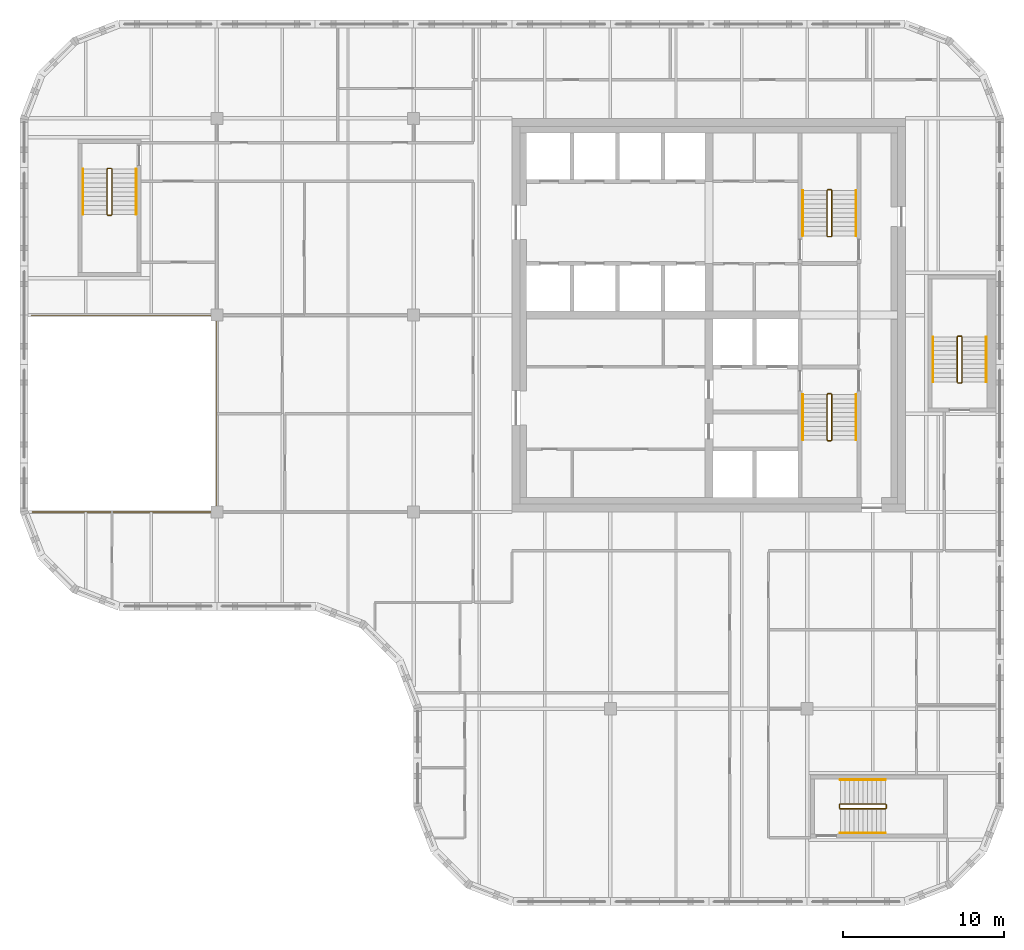
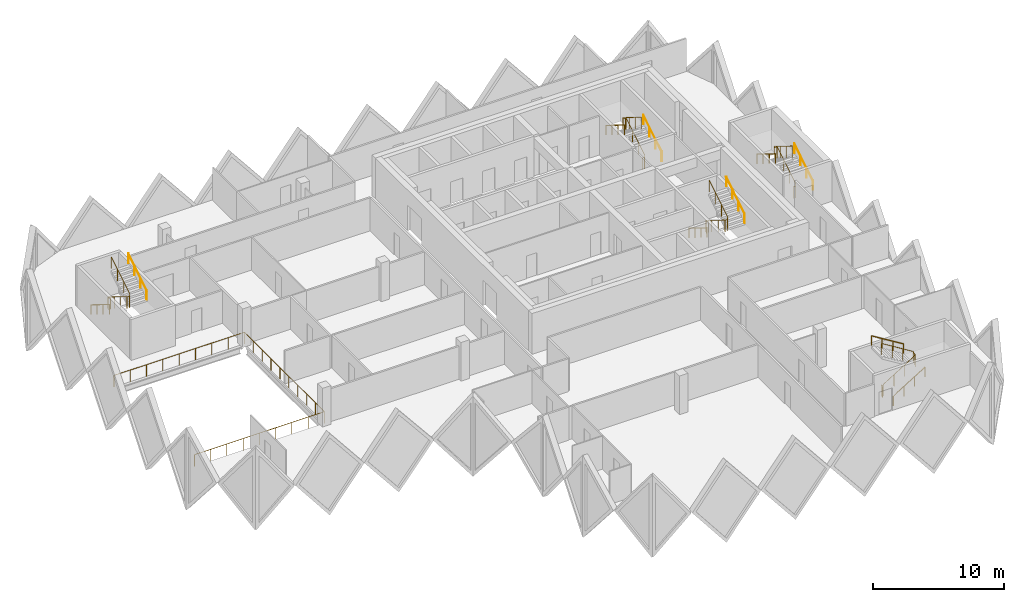
# One storey, part 12 of 12: 16 railings.
"""IFC4 building model written with IfcOpenShell, lengths in metres."""

from ifc_helpers import new_model, si_unit, direction, frame, origin, origin_2d, place, context, subcontext, project, spatial, circle, extrude, material, type_object, element, save


model = new_model("IFC4")

# Units and contexts
model_context = context("Model", 3, precision=1e-05, world=origin(), true_north=direction((0.0, 1.0)))
body_context = subcontext(model_context, "Body", "Model", "MODEL_VIEW")
ifc_project = project(units=[si_unit("LENGTHUNIT", "METRE"), si_unit("AREAUNIT", "SQUARE_METRE"), si_unit("VOLUMEUNIT", "CUBIC_METRE"), si_unit("PLANEANGLEUNIT", "RADIAN"), si_unit("MASSUNIT", "GRAM", prefix="KILO")], contexts=[model_context])

# Site, building, storey
site_placement = place(None, origin())
site = spatial("IfcSite", under=ifc_project, at=site_placement, CompositionType="ELEMENT")
building_placement = place(site_placement, origin())
building = spatial("IfcBuilding", under=site, at=building_placement, Name="Tessera Gate Towers", CompositionType="ELEMENT")
storey_placement = place(building_placement, frame((0.0, 0.0, 209.300048828125)))
storey = spatial("IfcBuildingStorey", under=building, at=storey_placement, Name="L52", CompositionType="ELEMENT", Elevation=209.300048828125)

# Railings
ifc_material_1 = material(Name="Toughened glass with stainless steel handrail", Category="steel")
railing_type_1 = type_object("IfcRailingType", Name="GUARD 1100 GLASS BALUSTRADE", PredefinedType="GUARDRAIL", material=ifc_material_1)
railing_1_placement = place(storey_placement, frame((0.750244140625, 24.39990234375, 0.0)))
element("IfcRailing", 1, at=railing_1_placement, inside=storey, type_object=railing_type_1, Name="Guard", PredefinedType="GUARDRAIL", context=body_context, shape_type="SweptSolid", body=[
    extrude(circle(Radius=0.02490234375, at=origin_2d()), frame((0.0, 0.0, 1.0751953125), z_axis=(1.0, 0.0, 0.0), x_axis=(0.0, 1.0, 0.0)), (0.0, 0.0, 1.0), 11.44970703125),
    extrude(circle(Radius=0.02490234375, at=origin_2d()), frame((11.44970703125, 0.0, 1.0751953125), z_axis=(0.0, 1.0, 0.0), x_axis=(-1.0, 0.0, 0.0)), (0.0, 0.0, 1.0), 12.2001953125),
    extrude(circle(Radius=0.02490234375, at=origin_2d()), frame((11.44970703125, 12.2001953125, 1.0751953125), z_axis=(-1.0, 0.0, 0.0), x_axis=(0.0, -1.0, 0.0)), (0.0, 0.0, 1.0), 11.5),
    extrude(circle(Radius=0.02490234375, at=origin_2d()), origin(), (0.0, 0.0, 1.0), 1.050048828125),
    extrude(circle(Radius=0.02490234375, at=origin_2d()), frame((1.43115234375, 0.0, 0.0)), (0.0, 0.0, 1.0), 1.050048828125),
    extrude(circle(Radius=0.02490234375, at=origin_2d()), frame((2.8623046875, 0.0, 0.0)), (0.0, 0.0, 1.0), 1.050048828125),
    extrude(circle(Radius=0.02490234375, at=origin_2d()), frame((4.293701171875, 0.0, 0.0)), (0.0, 0.0, 1.0), 1.050048828125),
    extrude(circle(Radius=0.02490234375, at=origin_2d()), frame((5.724853515625, 0.0, 0.0)), (0.0, 0.0, 1.0), 1.050048828125),
    extrude(circle(Radius=0.02490234375, at=origin_2d()), frame((7.156005859375, 0.0, 0.0)), (0.0, 0.0, 1.0), 1.050048828125),
    extrude(circle(Radius=0.02490234375, at=origin_2d()), frame((8.58740234375, 0.0, 0.0)), (0.0, 0.0, 1.0), 1.050048828125),
    extrude(circle(Radius=0.02490234375, at=origin_2d()), frame((10.0185546875, 0.0, 0.0)), (0.0, 0.0, 1.0), 1.050048828125),
    extrude(circle(Radius=0.02490234375, at=origin_2d()), frame((11.44970703125, 0.0, 0.0)), (0.0, 0.0, 1.0), 1.050048828125),
    extrude(circle(Radius=0.02490234375, at=origin_2d()), frame((11.44970703125, 1.35546875, 0.0)), (0.0, 0.0, 1.0), 1.050048828125),
    extrude(circle(Radius=0.02490234375, at=origin_2d()), frame((11.44970703125, 2.711181640625, 0.0)), (0.0, 0.0, 1.0), 1.050048828125),
    extrude(circle(Radius=0.02490234375, at=origin_2d()), frame((11.44970703125, 4.066650390625, 0.0)), (0.0, 0.0, 1.0), 1.050048828125),
    extrude(circle(Radius=0.02490234375, at=origin_2d()), frame((11.44970703125, 5.42236328125, 0.0)), (0.0, 0.0, 1.0), 1.050048828125),
    extrude(circle(Radius=0.02490234375, at=origin_2d()), frame((11.44970703125, 6.77783203125, 0.0)), (0.0, 0.0, 1.0), 1.050048828125),
    extrude(circle(Radius=0.02490234375, at=origin_2d()), frame((11.44970703125, 8.133544921875, 0.0)), (0.0, 0.0, 1.0), 1.050048828125),
    extrude(circle(Radius=0.02490234375, at=origin_2d()), frame((11.44970703125, 9.489013671875, 0.0)), (0.0, 0.0, 1.0), 1.050048828125),
    extrude(circle(Radius=0.02490234375, at=origin_2d()), frame((11.44970703125, 10.8447265625, 0.0)), (0.0, 0.0, 1.0), 1.050048828125),
    extrude(circle(Radius=0.02490234375, at=origin_2d()), frame((11.44970703125, 12.2001953125, 0.0)), (0.0, 0.0, 1.0), 1.050048828125),
    extrude(circle(Radius=0.02490234375, at=origin_2d()), frame((10.01220703125, 12.2001953125, 0.0)), (0.0, 0.0, 1.0), 1.050048828125),
    extrude(circle(Radius=0.02490234375, at=origin_2d()), frame((8.57470703125, 12.2001953125, 0.0)), (0.0, 0.0, 1.0), 1.050048828125),
    extrude(circle(Radius=0.02490234375, at=origin_2d()), frame((7.13720703125, 12.2001953125, 0.0)), (0.0, 0.0, 1.0), 1.050048828125),
    extrude(circle(Radius=0.02490234375, at=origin_2d()), frame((5.69970703125, 12.2001953125, 0.0)), (0.0, 0.0, 1.0), 1.050048828125),
    extrude(circle(Radius=0.02490234375, at=origin_2d()), frame((4.26220703125, 12.2001953125, 0.0)), (0.0, 0.0, 1.0), 1.050048828125),
    extrude(circle(Radius=0.02490234375, at=origin_2d()), frame((2.82470703125, 12.2001953125, 0.0)), (0.0, 0.0, 1.0), 1.050048828125),
    extrude(circle(Radius=0.02490234375, at=origin_2d()), frame((1.38720703125, 12.2001953125, 0.0)), (0.0, 0.0, 1.0), 1.050048828125),
    extrude(circle(Radius=0.02490234375, at=origin_2d()), frame((-0.05029296875, 12.2001953125, 0.0)), (0.0, 0.0, 1.0), 1.050048828125),
])
ifc_material_2 = material(Name="Steel 350W", Category="steel")
railing_type_2 = type_object("IfcRailingType", Name="STAIR GUARD 1100", PredefinedType="GUARDRAIL", material=ifc_material_2)
railing_2_placement = place(storey_placement, frame((50.27490234375, 31.72509765625, 0.0)))
element("IfcRailing", 2, at=railing_2_placement, inside=storey, type_object=railing_type_2, Name="L52 ST1 stair guard 1", PredefinedType="GUARDRAIL", context=body_context, shape_type="SweptSolid", body=[
    extrude(circle(Radius=0.02392578125, at=origin_2d()), frame((0.0, 0.0, 1.076171875), z_axis=(-1.0, 0.0, 0.0), x_axis=(0.0, -1.0, 0.0)), (0.0, 0.0, 1.0), 0.199951171875),
    extrude(circle(Radius=0.02392578125, at=origin_2d()), frame((-0.199951171875, 0.0, 1.076171875), z_axis=(-0.268277960024, -0.268277960024, 0.925231793839), x_axis=(0.707106781187, -0.707106781187, 0.0)), (0.0, 0.0, 1.0), 0.1865234375),
    extrude(circle(Radius=0.02392578125, at=origin_2d()), frame((-0.25, -0.050048828125, 1.24853515625), z_axis=(0.0, -0.851089632645, 0.525020415988), x_axis=(1.0, 0.0, 0.0)), (0.0, 0.0, 1.0), 3.2900390625),
    extrude(circle(Radius=0.02392578125, at=origin_2d()), frame((-0.25, -2.85009765625, 2.97607421875), z_axis=(0.707106781187, -0.707106781187, 0.0), x_axis=(0.707106781187, 0.707106781187, 0.0)), (0.0, 0.0, 1.0), 0.07080078125),
    extrude(circle(Radius=0.02392578125, at=origin_2d()), frame((-0.199951171875, -2.900146484375, 2.97607421875), z_axis=(1.0, 0.0, 0.0), x_axis=(0.0, 1.0, 0.0)), (0.0, 0.0, 1.0), 0.199951171875),
    extrude(circle(Radius=0.02392578125, at=origin_2d()), frame((0.0, -2.900146484375, 2.97607421875), z_axis=(0.267953482034, 0.267953482034, 0.925419830635), x_axis=(-0.707106781187, 0.707106781187, 0.0)), (0.0, 0.0, 1.0), 0.186767578125),
    extrude(circle(Radius=0.02392578125, at=origin_2d()), frame((0.050048828125, -2.85009765625, 3.14892578125), z_axis=(0.0, 0.851089632645, 0.525020415988), x_axis=(-1.0, 0.0, 0.0)), (0.0, 0.0, 1.0), 3.2900390625),
    extrude(circle(Radius=0.02099609375, at=origin_2d()), origin(), (0.0, 0.0, 1.0), 1.052001953125),
    extrude(circle(Radius=0.02099609375, at=origin_2d()), frame((-0.199951171875, 0.0, 0.0)), (0.0, 0.0, 1.0), 1.052001953125),
    extrude(circle(Radius=0.02099609375, at=origin_2d()), frame((-0.25, -0.050048828125, 0.172607421875)), (0.0, 0.0, 1.0), 1.052001953125),
    extrude(circle(Radius=0.02099609375, at=origin_2d()), frame((-0.25, -0.9833984375, 0.748291015625)), (0.0, 0.0, 1.0), 1.052001953125),
    extrude(circle(Radius=0.02099609375, at=origin_2d()), frame((-0.25, -1.916748046875, 1.32421875)), (0.0, 0.0, 1.0), 1.052001953125),
    extrude(circle(Radius=0.02099609375, at=origin_2d()), frame((-0.25, -2.85009765625, 1.89990234375)), (0.0, 0.0, 1.0), 1.052001953125),
    extrude(circle(Radius=0.02099609375, at=origin_2d()), frame((-0.199951171875, -2.900146484375, 1.89990234375)), (0.0, 0.0, 1.0), 1.052001953125),
    extrude(circle(Radius=0.02099609375, at=origin_2d()), frame((0.0, -2.900146484375, 1.89990234375)), (0.0, 0.0, 1.0), 1.052001953125),
    extrude(circle(Radius=0.02099609375, at=origin_2d()), frame((0.050048828125, -2.85009765625, 2.07275390625)), (0.0, 0.0, 1.0), 1.052001953125),
    extrude(circle(Radius=0.02099609375, at=origin_2d()), frame((0.050048828125, -1.916748046875, 2.6484375)), (0.0, 0.0, 1.0), 1.052001953125),
    extrude(circle(Radius=0.02099609375, at=origin_2d()), frame((0.050048828125, -0.9833984375, 3.224365234375)), (0.0, 0.0, 1.0), 1.052001953125),
    extrude(circle(Radius=0.02099609375, at=origin_2d()), frame((0.050048828125, -0.050048828125, 3.800048828125)), (0.0, 0.0, 1.0), 1.052001953125),
])
railing_3_placement = place(storey_placement, frame((50.074951171875, 41.47509765625, 0.0)))
element("IfcRailing", 3, at=railing_3_placement, inside=storey, type_object=railing_type_2, Name="L52 ST2 stair guard 1", PredefinedType="GUARDRAIL", context=body_context, shape_type="SweptSolid", body=[
    extrude(circle(Radius=0.02392578125, at=origin_2d()), frame((0.0, 0.0, 1.076171875), z_axis=(1.0, 0.0, 0.0), x_axis=(0.0, 1.0, 0.0)), (0.0, 0.0, 1.0), 0.199951171875),
    extrude(circle(Radius=0.02392578125, at=origin_2d()), frame((0.199951171875, 0.0, 1.076171875), z_axis=(0.268371968888, 0.267062837333, 0.925556009775), x_axis=(-0.705375805398, 0.708833529934, 0.0)), (0.0, 0.0, 1.0), 0.1865234375),
    extrude(circle(Radius=0.02392578125, at=origin_2d()), frame((0.25, 0.0498046875, 1.24853515625), z_axis=(0.0, 0.851089632645, 0.525020415988), x_axis=(-1.0, 0.0, 0.0)), (0.0, 0.0, 1.0), 3.2900390625),
    extrude(circle(Radius=0.02392578125, at=origin_2d()), frame((0.25, 2.849853515625, 2.97607421875), z_axis=(-0.707106781187, 0.707106781187, 0.0), x_axis=(-0.707106781187, -0.707106781187, 0.0)), (0.0, 0.0, 1.0), 0.07080078125),
    extrude(circle(Radius=0.02392578125, at=origin_2d()), frame((0.199951171875, 2.89990234375, 2.97607421875), z_axis=(-1.0, 0.0, 0.0), x_axis=(0.0, -1.0, 0.0)), (0.0, 0.0, 1.0), 0.199951171875),
    extrude(circle(Radius=0.02392578125, at=origin_2d()), frame((0.0, 2.89990234375, 2.97607421875), z_axis=(-0.267953482034, -0.267953482034, 0.925419830635), x_axis=(0.707106781187, -0.707106781187, 0.0)), (0.0, 0.0, 1.0), 0.186767578125),
    extrude(circle(Radius=0.02392578125, at=origin_2d()), frame((-0.050048828125, 2.849853515625, 3.14892578125), z_axis=(0.0, -0.851089632645, 0.525020415988), x_axis=(1.0, 0.0, 0.0)), (0.0, 0.0, 1.0), 3.2900390625),
    extrude(circle(Radius=0.02099609375, at=origin_2d()), origin(), (0.0, 0.0, 1.0), 1.052001953125),
    extrude(circle(Radius=0.02099609375, at=origin_2d()), frame((0.199951171875, 0.0, 0.0)), (0.0, 0.0, 1.0), 1.052001953125),
    extrude(circle(Radius=0.02099609375, at=origin_2d()), frame((0.25, 0.0498046875, 0.172607421875)), (0.0, 0.0, 1.0), 1.052001953125),
    extrude(circle(Radius=0.02099609375, at=origin_2d()), frame((0.25, 0.983154296875, 0.748291015625)), (0.0, 0.0, 1.0), 1.052001953125),
    extrude(circle(Radius=0.02099609375, at=origin_2d()), frame((0.25, 1.91650390625, 1.32421875)), (0.0, 0.0, 1.0), 1.052001953125),
    extrude(circle(Radius=0.02099609375, at=origin_2d()), frame((0.25, 2.849853515625, 1.89990234375)), (0.0, 0.0, 1.0), 1.052001953125),
    extrude(circle(Radius=0.02099609375, at=origin_2d()), frame((0.199951171875, 2.89990234375, 1.89990234375)), (0.0, 0.0, 1.0), 1.052001953125),
    extrude(circle(Radius=0.02099609375, at=origin_2d()), frame((0.0, 2.89990234375, 1.89990234375)), (0.0, 0.0, 1.0), 1.052001953125),
    extrude(circle(Radius=0.02099609375, at=origin_2d()), frame((-0.050048828125, 2.849853515625, 2.07275390625)), (0.0, 0.0, 1.0), 1.052001953125),
    extrude(circle(Radius=0.02099609375, at=origin_2d()), frame((-0.050048828125, 1.91650390625, 2.6484375)), (0.0, 0.0, 1.0), 1.052001953125),
    extrude(circle(Radius=0.02099609375, at=origin_2d()), frame((-0.050048828125, 0.983154296875, 3.224365234375)), (0.0, 0.0, 1.0), 1.052001953125),
    extrude(circle(Radius=0.02099609375, at=origin_2d()), frame((-0.050048828125, 0.0498046875, 3.800048828125)), (0.0, 0.0, 1.0), 1.052001953125),
])
railing_4_placement = place(storey_placement, frame((5.64990234375, 45.699951171875, 0.0)))
element("IfcRailing", 4, at=railing_4_placement, inside=storey, type_object=railing_type_2, Name="L52 ST3 stair guard 1", PredefinedType="GUARDRAIL", context=body_context, shape_type="SweptSolid", body=[
    extrude(circle(Radius=0.02392578125, at=origin_2d()), frame((0.0, 0.0, 1.076171875), z_axis=(-1.0, 0.0, 0.0), x_axis=(0.0, -1.0, 0.0)), (0.0, 0.0, 1.0), 0.199951171875),
    extrude(circle(Radius=0.02392578125, at=origin_2d()), frame((-0.199951171875, 0.0, 1.076171875), z_axis=(-0.268277960024, -0.268277960024, 0.925231793839), x_axis=(0.707106781187, -0.707106781187, 0.0)), (0.0, 0.0, 1.0), 0.1865234375),
    extrude(circle(Radius=0.02392578125, at=origin_2d()), frame((-0.25, -0.050048828125, 1.24853515625), z_axis=(0.0, -0.851069175582, 0.525053576669), x_axis=(1.0, 0.0, 0.0)), (0.0, 0.0, 1.0), 3.289794921875),
    extrude(circle(Radius=0.02392578125, at=origin_2d()), frame((-0.25, -2.849853515625, 2.97607421875), z_axis=(0.707106781187, -0.707106781187, 0.0), x_axis=(0.707106781187, 0.707106781187, 0.0)), (0.0, 0.0, 1.0), 0.07080078125),
    extrude(circle(Radius=0.02392578125, at=origin_2d()), frame((-0.199951171875, -2.89990234375, 2.97607421875), z_axis=(1.0, 0.0, 0.0), x_axis=(0.0, 1.0, 0.0)), (0.0, 0.0, 1.0), 0.199951171875),
    extrude(circle(Radius=0.02392578125, at=origin_2d()), frame((0.0, -2.89990234375, 2.97607421875), z_axis=(0.267953482034, 0.267953482034, 0.925419830635), x_axis=(-0.707106781187, 0.707106781187, 0.0)), (0.0, 0.0, 1.0), 0.186767578125),
    extrude(circle(Radius=0.02392578125, at=origin_2d()), frame((0.050048828125, -2.849853515625, 3.14892578125), z_axis=(0.0, 0.851069175582, 0.525053576669), x_axis=(-1.0, 0.0, 0.0)), (0.0, 0.0, 1.0), 3.289794921875),
    extrude(circle(Radius=0.02099609375, at=origin_2d()), origin(), (0.0, 0.0, 1.0), 1.052001953125),
    extrude(circle(Radius=0.02099609375, at=origin_2d()), frame((-0.199951171875, 0.0, 0.0)), (0.0, 0.0, 1.0), 1.052001953125),
    extrude(circle(Radius=0.02099609375, at=origin_2d()), frame((-0.25, -0.050048828125, 0.172607421875)), (0.0, 0.0, 1.0), 1.052001953125),
    extrude(circle(Radius=0.02099609375, at=origin_2d()), frame((-0.25, -0.9833984375, 0.748291015625)), (0.0, 0.0, 1.0), 1.052001953125),
    extrude(circle(Radius=0.02099609375, at=origin_2d()), frame((-0.25, -1.91650390625, 1.32421875)), (0.0, 0.0, 1.0), 1.052001953125),
    extrude(circle(Radius=0.02099609375, at=origin_2d()), frame((-0.25, -2.849853515625, 1.89990234375)), (0.0, 0.0, 1.0), 1.052001953125),
    extrude(circle(Radius=0.02099609375, at=origin_2d()), frame((-0.199951171875, -2.89990234375, 1.89990234375)), (0.0, 0.0, 1.0), 1.052001953125),
    extrude(circle(Radius=0.02099609375, at=origin_2d()), frame((0.0, -2.89990234375, 1.89990234375)), (0.0, 0.0, 1.0), 1.052001953125),
    extrude(circle(Radius=0.02099609375, at=origin_2d()), frame((0.050048828125, -2.849853515625, 2.07275390625)), (0.0, 0.0, 1.0), 1.052001953125),
    extrude(circle(Radius=0.02099609375, at=origin_2d()), frame((0.050048828125, -1.91650390625, 2.6484375)), (0.0, 0.0, 1.0), 1.052001953125),
    extrude(circle(Radius=0.02099609375, at=origin_2d()), frame((0.050048828125, -0.9833984375, 3.224365234375)), (0.0, 0.0, 1.0), 1.052001953125),
    extrude(circle(Radius=0.02099609375, at=origin_2d()), frame((0.050048828125, -0.050048828125, 3.800048828125)), (0.0, 0.0, 1.0), 1.052001953125),
])
railing_5_placement = place(storey_placement, frame((50.800048828125, 6.25, 0.0)))
element("IfcRailing", 5, at=railing_5_placement, inside=storey, type_object=railing_type_2, Name="L52 ST4 stair guard 1", PredefinedType="GUARDRAIL", context=body_context, shape_type="SweptSolid", body=[
    extrude(circle(Radius=0.02392578125, at=origin_2d()), frame((0.0, 0.0, 1.076171875), z_axis=(0.0, -1.0, 0.0), x_axis=(1.0, 0.0, 0.0)), (0.0, 0.0, 1.0), 0.199951171875),
    extrude(circle(Radius=0.02392578125, at=origin_2d()), frame((0.0, -0.199951171875, 1.076171875), z_axis=(0.268277960024, -0.268277960024, 0.925231793839), x_axis=(0.707106781187, 0.707106781187, 0.0)), (0.0, 0.0, 1.0), 0.1865234375),
    extrude(circle(Radius=0.02392578125, at=origin_2d()), frame((0.050048828125, -0.25, 1.24853515625), z_axis=(0.851069175582, 0.0, 0.525053576669), x_axis=(0.0, 1.0, 0.0)), (0.0, 0.0, 1.0), 3.289794921875),
    extrude(circle(Radius=0.02392578125, at=origin_2d()), frame((2.849853515625, -0.25, 2.97607421875), z_axis=(0.707106781187, 0.707106781187, 0.0), x_axis=(-0.707106781187, 0.707106781187, 0.0)), (0.0, 0.0, 1.0), 0.07080078125),
    extrude(circle(Radius=0.02392578125, at=origin_2d()), frame((2.89990234375, -0.199951171875, 2.97607421875), z_axis=(0.0, 1.0, 0.0), x_axis=(-1.0, 0.0, 0.0)), (0.0, 0.0, 1.0), 0.199951171875),
    extrude(circle(Radius=0.02392578125, at=origin_2d()), frame((2.89990234375, 0.0, 2.97607421875), z_axis=(-0.267953482034, 0.267953482034, 0.925419830635), x_axis=(-0.707106781187, -0.707106781187, 0.0)), (0.0, 0.0, 1.0), 0.186767578125),
    extrude(circle(Radius=0.02392578125, at=origin_2d()), frame((2.849853515625, 0.050048828125, 3.14892578125), z_axis=(-0.851069175582, 0.0, 0.525053576669), x_axis=(0.0, -1.0, 0.0)), (0.0, 0.0, 1.0), 3.289794921875),
    extrude(circle(Radius=0.02099609375, at=origin_2d()), origin(), (0.0, 0.0, 1.0), 1.052001953125),
    extrude(circle(Radius=0.02099609375, at=origin_2d()), frame((0.0, -0.199951171875, 0.0)), (0.0, 0.0, 1.0), 1.052001953125),
    extrude(circle(Radius=0.02099609375, at=origin_2d()), frame((0.050048828125, -0.25, 0.172607421875)), (0.0, 0.0, 1.0), 1.052001953125),
    extrude(circle(Radius=0.02099609375, at=origin_2d()), frame((0.9833984375, -0.25, 0.748291015625)), (0.0, 0.0, 1.0), 1.052001953125),
    extrude(circle(Radius=0.02099609375, at=origin_2d()), frame((1.91650390625, -0.25, 1.32421875)), (0.0, 0.0, 1.0), 1.052001953125),
    extrude(circle(Radius=0.02099609375, at=origin_2d()), frame((2.849853515625, -0.25, 1.89990234375)), (0.0, 0.0, 1.0), 1.052001953125),
    extrude(circle(Radius=0.02099609375, at=origin_2d()), frame((2.89990234375, -0.199951171875, 1.89990234375)), (0.0, 0.0, 1.0), 1.052001953125),
    extrude(circle(Radius=0.02099609375, at=origin_2d()), frame((2.89990234375, 0.0, 1.89990234375)), (0.0, 0.0, 1.0), 1.052001953125),
    extrude(circle(Radius=0.02099609375, at=origin_2d()), frame((2.849853515625, 0.050048828125, 2.07275390625)), (0.0, 0.0, 1.0), 1.052001953125),
    extrude(circle(Radius=0.02099609375, at=origin_2d()), frame((1.91650390625, 0.050048828125, 2.6484375)), (0.0, 0.0, 1.0), 1.052001953125),
    extrude(circle(Radius=0.02099609375, at=origin_2d()), frame((0.9833984375, 0.050048828125, 3.224365234375)), (0.0, 0.0, 1.0), 1.052001953125),
    extrude(circle(Radius=0.02099609375, at=origin_2d()), frame((0.050048828125, 0.050048828125, 3.800048828125)), (0.0, 0.0, 1.0), 1.052001953125),
])
railing_6_placement = place(storey_placement, frame((58.14990234375, 32.39990234375, 0.0)))
element("IfcRailing", 6, at=railing_6_placement, inside=storey, type_object=railing_type_2, Name="L52 ST5 stair guard 1", PredefinedType="GUARDRAIL", context=body_context, shape_type="SweptSolid", body=[
    extrude(circle(Radius=0.02392578125, at=origin_2d()), frame((0.0, 0.0, 1.076171875), z_axis=(1.0, 0.0, 0.0), x_axis=(0.0, 1.0, 0.0)), (0.0, 0.0, 1.0), 0.2001953125),
    extrude(circle(Radius=0.02392578125, at=origin_2d()), frame((0.2001953125, 0.0, 1.076171875), z_axis=(0.267062837333, 0.268371968888, 0.925556009775), x_axis=(-0.708833529934, 0.705375805398, 0.0)), (0.0, 0.0, 1.0), 0.1865234375),
    extrude(circle(Radius=0.02392578125, at=origin_2d()), frame((0.25, 0.050048828125, 1.24853515625), z_axis=(0.0, 0.851089632645, 0.525020415988), x_axis=(-1.0, 0.0, 0.0)), (0.0, 0.0, 1.0), 3.2900390625),
    extrude(circle(Radius=0.02392578125, at=origin_2d()), frame((0.25, 2.85009765625, 2.97607421875), z_axis=(-0.705375805398, 0.708833529934, 0.0), x_axis=(-0.708833529934, -0.705375805398, 0.0)), (0.0, 0.0, 1.0), 0.070556640625),
    extrude(circle(Radius=0.02392578125, at=origin_2d()), frame((0.2001953125, 2.900146484375, 2.97607421875), z_axis=(-1.0, 0.0, 0.0), x_axis=(0.0, -1.0, 0.0)), (0.0, 0.0, 1.0), 0.2001953125),
    extrude(circle(Radius=0.02392578125, at=origin_2d()), frame((0.0, 2.900146484375, 2.97607421875), z_axis=(-0.266739603011, -0.268047150085, 0.925743328097), x_axis=(0.708833529934, -0.705375805398, 0.0)), (0.0, 0.0, 1.0), 0.186767578125),
    extrude(circle(Radius=0.02392578125, at=origin_2d()), frame((-0.0498046875, 2.85009765625, 3.14892578125), z_axis=(0.0, -0.851089632645, 0.525020415988), x_axis=(1.0, 0.0, 0.0)), (0.0, 0.0, 1.0), 3.2900390625),
    extrude(circle(Radius=0.02099609375, at=origin_2d()), origin(), (0.0, 0.0, 1.0), 1.052001953125),
    extrude(circle(Radius=0.02099609375, at=origin_2d()), frame((0.2001953125, 0.0, 0.0)), (0.0, 0.0, 1.0), 1.052001953125),
    extrude(circle(Radius=0.02099609375, at=origin_2d()), frame((0.25, 0.050048828125, 0.172607421875)), (0.0, 0.0, 1.0), 1.052001953125),
    extrude(circle(Radius=0.02099609375, at=origin_2d()), frame((0.25, 0.9833984375, 0.748291015625)), (0.0, 0.0, 1.0), 1.052001953125),
    extrude(circle(Radius=0.02099609375, at=origin_2d()), frame((0.25, 1.916748046875, 1.32421875)), (0.0, 0.0, 1.0), 1.052001953125),
    extrude(circle(Radius=0.02099609375, at=origin_2d()), frame((0.25, 2.85009765625, 1.89990234375)), (0.0, 0.0, 1.0), 1.052001953125),
    extrude(circle(Radius=0.02099609375, at=origin_2d()), frame((0.2001953125, 2.900146484375, 1.89990234375)), (0.0, 0.0, 1.0), 1.052001953125),
    extrude(circle(Radius=0.02099609375, at=origin_2d()), frame((0.0, 2.900146484375, 1.89990234375)), (0.0, 0.0, 1.0), 1.052001953125),
    extrude(circle(Radius=0.02099609375, at=origin_2d()), frame((-0.0498046875, 2.85009765625, 2.07275390625)), (0.0, 0.0, 1.0), 1.052001953125),
    extrude(circle(Radius=0.02099609375, at=origin_2d()), frame((-0.0498046875, 1.916748046875, 2.6484375)), (0.0, 0.0, 1.0), 1.052001953125),
    extrude(circle(Radius=0.02099609375, at=origin_2d()), frame((-0.0498046875, 0.9833984375, 3.224365234375)), (0.0, 0.0, 1.0), 1.052001953125),
    extrude(circle(Radius=0.02099609375, at=origin_2d()), frame((-0.0498046875, 0.050048828125, 3.800048828125)), (0.0, 0.0, 1.0), 1.052001953125),
])
ifc_material_3 = material(Name="Steel 350W", Category="steel")
railing_type_3 = type_object("IfcRailingType", Name="STAIR HANDRAIL 900", PredefinedType="HANDRAIL", material=ifc_material_3)
railing_7_placement = place(storey_placement, frame((48.52490234375, 31.675048828125, 0.172607421875)))
element("IfcRailing", 7, at=railing_7_placement, inside=storey, type_object=railing_type_3, Name="L52 ST1 stair handrail 1", PredefinedType="HANDRAIL", context=body_context, shape_type="SweptSolid", body=[
    extrude(circle(Radius=0.02392578125, at=origin_2d()), frame((0.0, 0.0, 0.8759765625), z_axis=(0.0, -0.851089632645, 0.525020415988), x_axis=(1.0, 0.0, 0.0)), (0.0, 0.0, 1.0), 3.2900390625),
    extrude(circle(Radius=0.02099609375, at=origin_2d()), origin(), (0.0, 0.0, 1.0), 0.851806640625),
    extrude(circle(Radius=0.02099609375, at=origin_2d()), frame((0.0, -0.933349609375, 0.57568359375)), (0.0, 0.0, 1.0), 0.851806640625),
    extrude(circle(Radius=0.02099609375, at=origin_2d()), frame((0.0, -1.86669921875, 1.151611328125)), (0.0, 0.0, 1.0), 0.851806640625),
    extrude(circle(Radius=0.02099609375, at=origin_2d()), frame((0.0, -2.800048828125, 1.727294921875)), (0.0, 0.0, 1.0), 0.851806640625),
])
for number, where, name in (
    (8, (51.824951171875, 28.875, 2.07275390625), "L52 ST1 stair handrail 2"),
    (9, (51.824951171875, 41.52490234375, 0.172607421875), "L52 ST2 stair handrail 1"),
):
    element("IfcRailing", number, at=place(storey_placement, frame(where)), inside=storey, type_object=railing_type_3, Name=name, PredefinedType="HANDRAIL", context=body_context, shape_type="SweptSolid", body=[
        extrude(circle(Radius=0.02392578125, at=origin_2d()), frame((0.0, 0.0, 0.8759765625), z_axis=(0.0, 0.851089632645, 0.525020415988), x_axis=(-1.0, 0.0, 0.0)), (0.0, 0.0, 1.0), 3.2900390625),
        extrude(circle(Radius=0.02099609375, at=origin_2d()), origin(), (0.0, 0.0, 1.0), 0.851806640625),
        extrude(circle(Radius=0.02099609375, at=origin_2d()), frame((0.0, 0.933349609375, 0.57568359375)), (0.0, 0.0, 1.0), 0.851806640625),
        extrude(circle(Radius=0.02099609375, at=origin_2d()), frame((0.0, 1.86669921875, 1.151611328125)), (0.0, 0.0, 1.0), 0.851806640625),
        extrude(circle(Radius=0.02099609375, at=origin_2d()), frame((0.0, 2.800048828125, 1.727294921875)), (0.0, 0.0, 1.0), 0.851806640625),
    ])
railing_8_placement = place(storey_placement, frame((48.52490234375, 44.324951171875, 2.07275390625)))
element("IfcRailing", 10, at=railing_8_placement, inside=storey, type_object=railing_type_3, Name="L52 ST2 stair handrail 2", PredefinedType="HANDRAIL", context=body_context, shape_type="SweptSolid", body=[
    extrude(circle(Radius=0.02392578125, at=origin_2d()), frame((0.0, 0.0, 0.8759765625), z_axis=(0.0, -0.851089632645, 0.525020415988), x_axis=(1.0, 0.0, 0.0)), (0.0, 0.0, 1.0), 3.2900390625),
    extrude(circle(Radius=0.02099609375, at=origin_2d()), origin(), (0.0, 0.0, 1.0), 0.851806640625),
    extrude(circle(Radius=0.02099609375, at=origin_2d()), frame((0.0, -0.933349609375, 0.57568359375)), (0.0, 0.0, 1.0), 0.851806640625),
    extrude(circle(Radius=0.02099609375, at=origin_2d()), frame((0.0, -1.86669921875, 1.151611328125)), (0.0, 0.0, 1.0), 0.851806640625),
    extrude(circle(Radius=0.02099609375, at=origin_2d()), frame((0.0, -2.800048828125, 1.727294921875)), (0.0, 0.0, 1.0), 0.851806640625),
])
railing_9_placement = place(storey_placement, frame((3.89990234375, 45.64990234375, 0.172607421875)))
element("IfcRailing", 11, at=railing_9_placement, inside=storey, type_object=railing_type_3, Name="L52 ST3 stair handrail 1", PredefinedType="HANDRAIL", context=body_context, shape_type="SweptSolid", body=[
    extrude(circle(Radius=0.02392578125, at=origin_2d()), frame((0.0, 0.0, 0.8759765625), z_axis=(0.0, -0.851069175582, 0.525053576669), x_axis=(1.0, 0.0, 0.0)), (0.0, 0.0, 1.0), 3.289794921875),
    extrude(circle(Radius=0.02099609375, at=origin_2d()), origin(), (0.0, 0.0, 1.0), 0.851806640625),
    extrude(circle(Radius=0.02099609375, at=origin_2d()), frame((0.0, -0.933349609375, 0.57568359375)), (0.0, 0.0, 1.0), 0.851806640625),
    extrude(circle(Radius=0.02099609375, at=origin_2d()), frame((0.0, -1.866455078125, 1.151611328125)), (0.0, 0.0, 1.0), 0.851806640625),
    extrude(circle(Radius=0.02099609375, at=origin_2d()), frame((0.0, -2.7998046875, 1.727294921875)), (0.0, 0.0, 1.0), 0.851806640625),
])
railing_10_placement = place(storey_placement, frame((7.199951171875, 42.85009765625, 2.07275390625)))
element("IfcRailing", 12, at=railing_10_placement, inside=storey, type_object=railing_type_3, Name="L52 ST3 stair handrail 2", PredefinedType="HANDRAIL", context=body_context, shape_type="SweptSolid", body=[
    extrude(circle(Radius=0.02392578125, at=origin_2d()), frame((0.0, 0.0, 0.8759765625), z_axis=(0.0, 0.851069175582, 0.525053576669), x_axis=(-1.0, 0.0, 0.0)), (0.0, 0.0, 1.0), 3.289794921875),
    extrude(circle(Radius=0.02099609375, at=origin_2d()), origin(), (0.0, 0.0, 1.0), 0.851806640625),
    extrude(circle(Radius=0.02099609375, at=origin_2d()), frame((0.0, 0.933349609375, 0.57568359375)), (0.0, 0.0, 1.0), 0.851806640625),
    extrude(circle(Radius=0.02099609375, at=origin_2d()), frame((0.0, 1.866455078125, 1.151611328125)), (0.0, 0.0, 1.0), 0.851806640625),
    extrude(circle(Radius=0.02099609375, at=origin_2d()), frame((0.0, 2.7998046875, 1.727294921875)), (0.0, 0.0, 1.0), 0.851806640625),
])
railing_11_placement = place(storey_placement, frame((50.85009765625, 4.5, 0.172607421875)))
element("IfcRailing", 13, at=railing_11_placement, inside=storey, type_object=railing_type_3, Name="L52 ST4 stair handrail 1", PredefinedType="HANDRAIL", context=body_context, shape_type="SweptSolid", body=[
    extrude(circle(Radius=0.02392578125, at=origin_2d()), frame((0.0, 0.0, 0.8759765625), z_axis=(0.851069175582, 0.0, 0.525053576669), x_axis=(0.0, 1.0, 0.0)), (0.0, 0.0, 1.0), 3.289794921875),
    extrude(circle(Radius=0.02099609375, at=origin_2d()), origin(), (0.0, 0.0, 1.0), 0.851806640625),
    extrude(circle(Radius=0.02099609375, at=origin_2d()), frame((0.933349609375, 0.0, 0.57568359375)), (0.0, 0.0, 1.0), 0.851806640625),
    extrude(circle(Radius=0.02099609375, at=origin_2d()), frame((1.866455078125, 0.0, 1.151611328125)), (0.0, 0.0, 1.0), 0.851806640625),
    extrude(circle(Radius=0.02099609375, at=origin_2d()), frame((2.7998046875, 0.0, 1.727294921875)), (0.0, 0.0, 1.0), 0.851806640625),
])
railing_12_placement = place(storey_placement, frame((53.64990234375, 7.800048828125, 2.07275390625)))
element("IfcRailing", 14, at=railing_12_placement, inside=storey, type_object=railing_type_3, Name="L52 ST4 stair handrail 2", PredefinedType="HANDRAIL", context=body_context, shape_type="SweptSolid", body=[
    extrude(circle(Radius=0.02392578125, at=origin_2d()), frame((0.0, 0.0, 0.8759765625), z_axis=(-0.851069175582, 0.0, 0.525053576669), x_axis=(0.0, -1.0, 0.0)), (0.0, 0.0, 1.0), 3.289794921875),
    extrude(circle(Radius=0.02099609375, at=origin_2d()), origin(), (0.0, 0.0, 1.0), 0.851806640625),
    extrude(circle(Radius=0.02099609375, at=origin_2d()), frame((-0.933349609375, 0.0, 0.57568359375)), (0.0, 0.0, 1.0), 0.851806640625),
    extrude(circle(Radius=0.02099609375, at=origin_2d()), frame((-1.866455078125, 0.0, 1.151611328125)), (0.0, 0.0, 1.0), 0.851806640625),
    extrude(circle(Radius=0.02099609375, at=origin_2d()), frame((-2.7998046875, 0.0, 1.727294921875)), (0.0, 0.0, 1.0), 0.851806640625),
])
railing_13_placement = place(storey_placement, frame((59.89990234375, 32.449951171875, 0.172607421875)))
element("IfcRailing", 15, at=railing_13_placement, inside=storey, type_object=railing_type_3, Name="L52 ST5 stair handrail 1", PredefinedType="HANDRAIL", context=body_context, shape_type="SweptSolid", body=[
    extrude(circle(Radius=0.02392578125, at=origin_2d()), frame((0.0, 0.0, 0.8759765625), z_axis=(0.0, 0.851089632645, 0.525020415988), x_axis=(-1.0, 0.0, 0.0)), (0.0, 0.0, 1.0), 3.2900390625),
    extrude(circle(Radius=0.02099609375, at=origin_2d()), origin(), (0.0, 0.0, 1.0), 0.851806640625),
    extrude(circle(Radius=0.02099609375, at=origin_2d()), frame((0.0, 0.933349609375, 0.57568359375)), (0.0, 0.0, 1.0), 0.851806640625),
    extrude(circle(Radius=0.02099609375, at=origin_2d()), frame((0.0, 1.86669921875, 1.151611328125)), (0.0, 0.0, 1.0), 0.851806640625),
    extrude(circle(Radius=0.02099609375, at=origin_2d()), frame((0.0, 2.800048828125, 1.727294921875)), (0.0, 0.0, 1.0), 0.851806640625),
])
railing_14_placement = place(storey_placement, frame((56.60009765625, 35.25, 2.07275390625)))
element("IfcRailing", 16, at=railing_14_placement, inside=storey, type_object=railing_type_3, Name="L52 ST5 stair handrail 2", PredefinedType="HANDRAIL", context=body_context, shape_type="SweptSolid", body=[
    extrude(circle(Radius=0.02392578125, at=origin_2d()), frame((0.0, 0.0, 0.8759765625), z_axis=(0.0, -0.851089632645, 0.525020415988), x_axis=(1.0, 0.0, 0.0)), (0.0, 0.0, 1.0), 3.2900390625),
    extrude(circle(Radius=0.02099609375, at=origin_2d()), origin(), (0.0, 0.0, 1.0), 0.851806640625),
    extrude(circle(Radius=0.02099609375, at=origin_2d()), frame((0.0, -0.933349609375, 0.57568359375)), (0.0, 0.0, 1.0), 0.851806640625),
    extrude(circle(Radius=0.02099609375, at=origin_2d()), frame((0.0, -1.86669921875, 1.151611328125)), (0.0, 0.0, 1.0), 0.851806640625),
    extrude(circle(Radius=0.02099609375, at=origin_2d()), frame((0.0, -2.800048828125, 1.727294921875)), (0.0, 0.0, 1.0), 0.851806640625),
])

save(model, "model.ifc")
